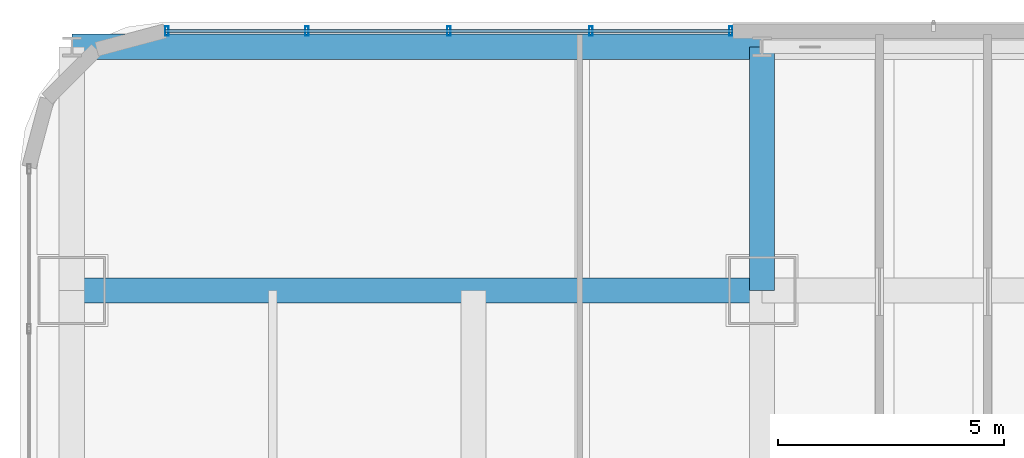
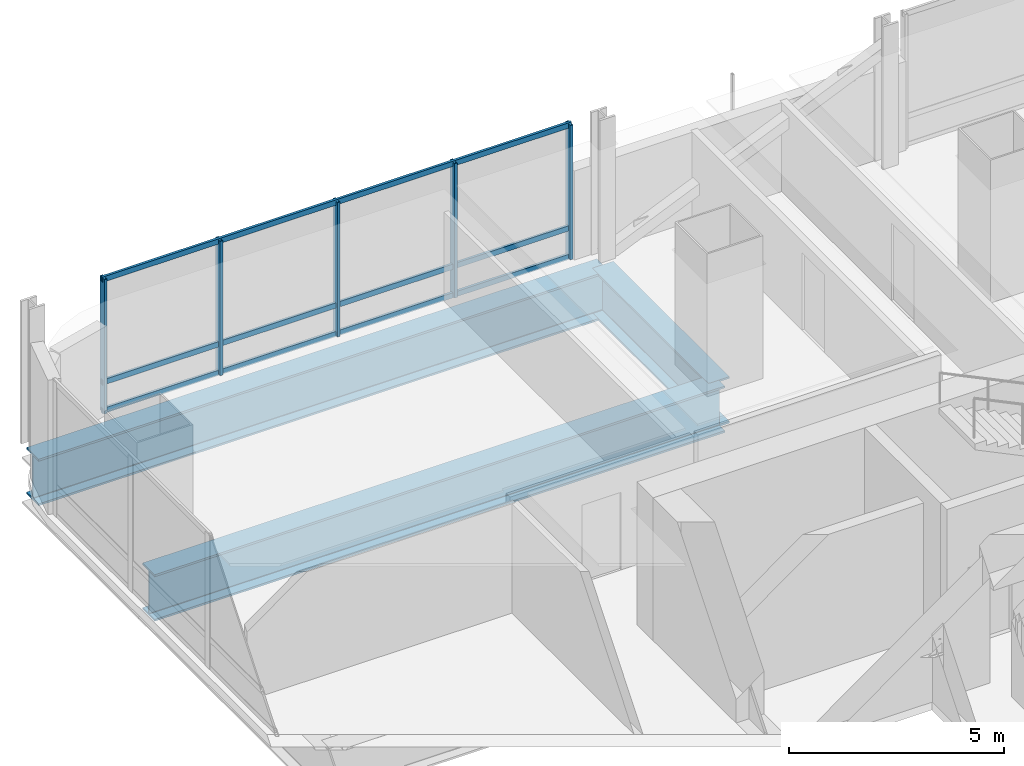
# One storey, part 19 of 37: 8 members, 3 beams, 1 element without a shape of its own.
"""IFC4 building model written with IfcOpenShell, lengths in metres."""

import ifcopenshell
import ifcopenshell.guid

model = None  # the IFC model being written
_history = None  # IfcOwnerHistory: only IFC2X3 demands one
_inside = {}  # id of a spatial element -> (the spatial element, [elements in it])
_under = {}  # id of a project, library or spatial element -> (it, [spatial elements below it])
_declared = {}  # id of a project -> (the project, [libraries it declares])
_typed = {}  # id of a type object -> (the type object, [elements of that type])
_made_of = {}  # id of a material, layer set ... -> (it, [elements and type objects made of it])


def new_model(schema):
    """Start an empty IFC model of exactly this schema.

    Asked for "IFC4X3", IfcOpenShell would pick the latest addendum, in which some entities
    have other attributes; the version numbers below select the first issue.
    IFC2X3 requires an IfcOwnerHistory on every rooted entity: one is made here for all.
    """
    global model, _history
    if schema == "IFC4X3":
        model = ifcopenshell.file(schema_version=(4, 3, 0, 0))
    else:
        model = ifcopenshell.file(schema=schema)
    _inside.clear()
    _under.clear()
    _declared.clear()
    _typed.clear()
    _made_of.clear()
    _history = None
    if model.schema == "IFC2X3":
        org = make("IfcOrganization", Name="unknown")
        user = make(
            "IfcPersonAndOrganization",
            ThePerson=make("IfcPerson", FamilyName="unknown"),
            TheOrganization=org,
        )
        app = make(
            "IfcApplication",
            ApplicationDeveloper=org,
            Version="unknown",
            ApplicationFullName="unknown",
            ApplicationIdentifier="unknown",
        )
        _history = make(
            "IfcOwnerHistory",
            OwningUser=user,
            OwningApplication=app,
            ChangeAction="ADDED",
            CreationDate=0,
        )
    return model


def make(cls, **values):
    """One entity of the class cls with the attributes given. An attribute that is None is left unset."""
    return model.create_entity(
        cls, **{name: value for name, value in values.items() if value is not None}
    )


def rooted(cls, **values):
    """An entity with a GlobalId (a new one), such as an element, a storey or a relation."""
    return make(cls, GlobalId=ifcopenshell.guid.new(), OwnerHistory=_history, **values)


def si_unit(unit_type, name, prefix=None):
    """IfcSIUnit, for example si_unit("LENGTHUNIT", "METRE", prefix="MILLI")."""
    return make("IfcSIUnit", UnitType=unit_type, Prefix=prefix, Name=name)


def assignment(units):
    """IfcUnitAssignment: the units of a project."""
    return None if units is None else make("IfcUnitAssignment", Units=units)


def point(xyz):
    """IfcCartesianPoint."""
    return None if xyz is None else make("IfcCartesianPoint", Coordinates=xyz)


def direction(xyz):
    """IfcDirection."""
    return None if xyz is None else make("IfcDirection", DirectionRatios=xyz)


def frame(location, z_axis=None, x_axis=None):
    """IfcAxis2Placement3D, a coordinate frame: its origin and axes. An axis left out is left unset."""
    return make(
        "IfcAxis2Placement3D",
        Location=point(location),
        Axis=direction(z_axis),
        RefDirection=direction(x_axis),
    )


def frame_2d(location, x_axis=None):
    """IfcAxis2Placement2D, a coordinate frame in the plane: its origin and x axis."""
    return make(
        "IfcAxis2Placement2D", Location=point(location), RefDirection=direction(x_axis)
    )


def origin():
    """The frame at (0, 0, 0) with its axes left unset."""
    return frame((0.0, 0.0, 0.0))


def origin_2d():
    """The frame at (0, 0) in the plane with its x axis left unset."""
    return frame_2d((0.0, 0.0))


def place(relative_to, where):
    """IfcLocalPlacement: puts the frame where relative to a parent placement (None: the world)."""
    return make(
        "IfcLocalPlacement", PlacementRelTo=relative_to, RelativePlacement=where
    )


def context(
    kind, dimensions, precision=None, world=None, true_north=None, identifier=None
):
    """IfcGeometricRepresentationContext, for example the 3D "Model" context."""
    return make(
        "IfcGeometricRepresentationContext",
        ContextIdentifier=identifier,
        ContextType=kind,
        CoordinateSpaceDimension=dimensions,
        Precision=precision,
        WorldCoordinateSystem=world,
        TrueNorth=true_north,
    )


def subcontext(parent, identifier, kind, view, scale=None):
    """IfcGeometricRepresentationSubContext, for example "Body" below "Model"."""
    return make(
        "IfcGeometricRepresentationSubContext",
        ContextIdentifier=identifier,
        ContextType=kind,
        ParentContext=parent,
        TargetScale=scale,
        TargetView=view,
    )


def project(units=None, contexts=None):
    """IfcProject with its units and contexts."""
    return rooted(
        "IfcProject",
        Name="project",
        RepresentationContexts=contexts,
        UnitsInContext=assignment(units),
    )


def spatial(cls, under=None, at=None, **own):
    """A site, building, storey or space (cls), placed at a placement, below another one or the project."""
    s = rooted(cls, ObjectPlacement=at, **own)
    if under is not None:
        _under.setdefault(under.id(), (under, []))[1].append(s)
    return s


def profile(cls, at=None, kind="AREA", **sizes):
    """A parametric profile (cls). Its sizes go by their IFC names, for example OverallWidth=200.0."""
    return make(cls, ProfileType=kind, Position=at, **sizes)


def hollow_rectangle(**sizes):
    """IfcRectangleHollowProfileDef."""
    return profile("IfcRectangleHollowProfileDef", **sizes)


def i_section(**sizes):
    """IfcIShapeProfileDef."""
    return profile("IfcIShapeProfileDef", **sizes)


def extrude(swept, where, along, depth):
    """IfcExtrudedAreaSolid: the profile swept, set in the frame where, extruded along a direction by depth."""
    return make(
        "IfcExtrudedAreaSolid",
        SweptArea=swept,
        Position=where,
        ExtrudedDirection=direction(along),
        Depth=depth,
    )


def shape(context_of_items, identifier, shape_type, items):
    """IfcShapeRepresentation: the items that make up one representation, for example the "Body"."""
    return make(
        "IfcShapeRepresentation",
        ContextOfItems=context_of_items,
        RepresentationIdentifier=identifier,
        RepresentationType=shape_type,
        Items=items,
    )


def material(Name=None, Category=None):
    """IfcMaterial."""
    return make("IfcMaterial", Name=Name, Category=Category)


def material_profile(
    of_material, cross_section, Name=None, Category=None, Priority=None
):
    """IfcMaterialProfile: a cross section and its material."""
    return make(
        "IfcMaterialProfile",
        Name=Name,
        Material=of_material,
        Profile=cross_section,
        Priority=Priority,
        Category=Category,
    )


def profile_set(profiles, Name=None, composite=None):
    """IfcMaterialProfileSet."""
    return make(
        "IfcMaterialProfileSet",
        Name=Name,
        MaterialProfiles=profiles,
        CompositeProfile=composite,
    )


def made_of(thing, what):
    """Note that an element or type object is made of a material, layer set ...; save() writes the relation."""
    if what is not None:
        _made_of.setdefault(what.id(), (what, []))[1].append(thing)
    return thing


def type_object(cls, material=None, **own):
    """A type object (cls), such as IfcWallType, which elements share."""
    return made_of(rooted(cls, **own), material)


def element(
    cls,
    number,
    at=None,
    inside=None,
    cuts=None,
    type_object=None,
    material=None,
    context=None,
    identifier="Body",
    shape_type=None,
    held_by="IfcProductDefinitionShape",
    body=None,
    shapes=None,
    **own,
):
    """One element of the class cls, such as IfcWall. Its Tag is "e" and its number.

    at: its placement. inside: the storey or other place that contains it. cuts: it is an
    opening in that element (IfcRelVoidsElement). A single representation is given by context,
    identifier, shape_type and body (its items); several are given by shapes. held_by: the class
    of the entity that holds the representations. save() writes the other relations.
    """
    e = rooted(cls, Tag="e%d" % number, ObjectPlacement=at, **own)
    if body is not None:
        shapes = [shape(context, identifier, shape_type, body)]
    if shapes is not None:
        e.Representation = make(held_by, Representations=shapes)
    if inside is not None:
        _inside.setdefault(inside.id(), (inside, []))[1].append(e)
    if cuts is not None:
        rooted(
            "IfcRelVoidsElement", RelatingBuildingElement=cuts, RelatedOpeningElement=e
        )
    if type_object is not None:
        _typed.setdefault(type_object.id(), (type_object, []))[1].append(e)
    return made_of(e, material)


def aggregate(whole, parts):
    """IfcRelAggregates: a whole, such as a stair, and the parts it consists of."""
    return rooted("IfcRelAggregates", RelatingObject=whole, RelatedObjects=parts)


def save(model, path):
    """Write the relations noted so far, then the file.

    IfcRelAggregates (storeys below a building ...), IfcRelContainedInSpatialStructure (elements
    in a storey), IfcRelDefinesByType, IfcRelAssociatesMaterial and IfcRelDeclares: one each for
    every whole, place, type object, material and project.
    """
    for whole, parts in _under.values():
        aggregate(whole, parts)
    for where, things in _inside.values():
        rooted(
            "IfcRelContainedInSpatialStructure",
            RelatedElements=things,
            RelatingStructure=where,
        )
    for kind, things in _typed.values():
        rooted("IfcRelDefinesByType", RelatedObjects=things, RelatingType=kind)
    for what, things in _made_of.values():
        rooted("IfcRelAssociatesMaterial", RelatedObjects=things, RelatingMaterial=what)
    for by, libraries in _declared.values():
        rooted("IfcRelDeclares", RelatingContext=by, RelatedDefinitions=libraries)
    model.write(path)


model = new_model("IFC4")

# Units and contexts
model_context = context("Model", 3, precision=1e-05, world=origin(), true_north=direction((0.0, 1.0)))
body_context = subcontext(model_context, "Body", "Model", "MODEL_VIEW")
ifc_project = project(units=[si_unit("LENGTHUNIT", "METRE"), si_unit("AREAUNIT", "SQUARE_METRE"), si_unit("VOLUMEUNIT", "CUBIC_METRE"), si_unit("PLANEANGLEUNIT", "RADIAN"), si_unit("MASSUNIT", "GRAM", prefix="KILO")], contexts=[model_context])

# Site, building, storey
site_placement = place(None, origin())
site = spatial("IfcSite", under=ifc_project, at=site_placement, CompositionType="ELEMENT")
building_placement = place(site_placement, origin())
building = spatial("IfcBuilding", under=site, at=building_placement, Name="Punatoya Terracotta Tower", CompositionType="ELEMENT")
storey_placement = place(building_placement, frame((0.0, 0.0, 109.199951171875)))
storey = spatial("IfcBuildingStorey", under=building, at=storey_placement, Name="L25", CompositionType="ELEMENT", Elevation=109.199951171875)

# Beams
ifc_material_1 = material(Name="Steel S460", Category="steel")
ifc_material_profile_1 = material_profile(ifc_material_1, i_section(OverallWidth=0.56005859375, OverallDepth=1.320068359375, WebThickness=0.035888671875, FlangeThickness=0.054931640625, FilletRadius=0.01806640625, at=origin_2d()))
ifc_profile_set_1 = profile_set([ifc_material_profile_1], Name="Steel S460")
beam_type = type_object("IfcBeamType", Name="BM-TG-BLK", PredefinedType="BEAM", material=ifc_profile_set_1)
beam_1_placement = place(storey_placement, frame((-19.10009765625, 17.5, -0.89990234375), z_axis=(1.0, 0.0, 0.0), x_axis=(0.0, 1.0, 0.0)))
element("IfcBeam", 1, at=beam_1_placement, inside=storey, type_object=beam_type, Name="BM-L25-RG-N1", PredefinedType="BEAM", context=body_context, shape_type="SweptSolid", body=[
    extrude(i_section(OverallWidth=0.56005859375, OverallDepth=1.320068359375, WebThickness=0.035888671875, FlangeThickness=0.054931640625, FilletRadius=0.01806640625, at=origin_2d()), origin(), (0.0, 0.0, 1.0), 15.300048828125),
])
beam_2_placement = place(storey_placement, frame((-3.800048828125, 17.5, -0.89990234375), z_axis=(0.0, 1.0, 0.0), x_axis=(-1.0, 0.0, 0.0)))
element("IfcBeam", 2, at=beam_2_placement, inside=storey, type_object=beam_type, Name="BM-L25-CANT-N2", PredefinedType="BEAM", context=body_context, shape_type="SweptSolid", body=[
    extrude(i_section(OverallWidth=0.56005859375, OverallDepth=1.320068359375, WebThickness=0.035888671875, FlangeThickness=0.054931640625, FilletRadius=0.01806640625, at=origin_2d()), origin(), (0.0, 0.0, 1.0), 5.39990234375),
])
beam_3_placement = place(storey_placement, frame((-19.10009765625, 22.89990234375, -0.89990234375), z_axis=(1.0, 0.0, 0.0), x_axis=(0.0, 1.0, 0.0)))
element("IfcBeam", 3, at=beam_3_placement, inside=storey, type_object=beam_type, Name="BM-L25-PER-N1", PredefinedType="BEAM", context=body_context, shape_type="SweptSolid", body=[
    extrude(i_section(OverallWidth=0.56005859375, OverallDepth=1.320068359375, WebThickness=0.035888671875, FlangeThickness=0.054931640625, FilletRadius=0.01806640625, at=origin_2d()), origin(), (0.0, 0.0, 1.0), 15.300048828125),
])

# Curtain wall, members
ifc_material_2 = material(Name="Aluminium 6063-T6 + Double Low-E Glass", Category="aluminium")
curtain_wall_type = type_object("IfcCurtainWallType", Name="CW-M1", PredefinedType="NOTDEFINED", material=ifc_material_2)
curtain_wall_placement = place(storey_placement, origin())
curtain_wall = element("IfcCurtainWall", 4, at=curtain_wall_placement, inside=storey, type_object=curtain_wall_type, Name="L25 Curtain Wall CW-L25-N08-2", PredefinedType="NOTDEFINED")
ifc_material_3 = material(Name="Aluminium 6063-T6", Category="aluminium")
ifc_material_profile_2 = material_profile(ifc_material_3, hollow_rectangle(XDim=0.074951171875, YDim=0.2099609375, WallThickness=0.00439453125, at=origin_2d()))
ifc_profile_set_2 = profile_set([ifc_material_profile_2], Name="Aluminium 6063-T6")
member_type_1 = type_object("IfcMemberType", Name="CW-MUL-M1", PredefinedType="MULLION", material=ifc_profile_set_2)
member_1_placement = place(storey_placement, frame((-4.4951171875, 23.25, 0.0), z_axis=(0.0, 0.0, 1.0), x_axis=(1.0, 0.0, 0.0)))
member_1 = element("IfcMember", 5, at=member_1_placement, type_object=member_type_1, Name="CW-L25-N08-2 Mullion 00", PredefinedType="MULLION", context=body_context, shape_type="SweptSolid", body=[
    extrude(hollow_rectangle(XDim=0.074951171875, YDim=0.2099609375, WallThickness=0.00439453125, at=origin_2d()), origin(), (0.0, 0.0, 1.0), 3.81005859375),
])
member_2_placement = place(storey_placement, frame((-7.5966796875, 23.25, 0.0), z_axis=(0.0, 0.0, 1.0), x_axis=(1.0, 0.0, 0.0)))
member_2 = element("IfcMember", 6, at=member_2_placement, type_object=member_type_1, Name="CW-L25-N08-2 Mullion 01", PredefinedType="MULLION", context=body_context, shape_type="SweptSolid", body=[
    extrude(hollow_rectangle(XDim=0.074951171875, YDim=0.2099609375, WallThickness=0.00439453125, at=origin_2d()), origin(), (0.0, 0.0, 1.0), 3.81005859375),
])
member_3_placement = place(storey_placement, frame((-10.743408203125, 23.25, 0.0), z_axis=(0.0, 0.0, 1.0), x_axis=(1.0, 0.0, 0.0)))
member_3 = element("IfcMember", 7, at=member_3_placement, type_object=member_type_1, Name="CW-L25-N08-2 Mullion 02", PredefinedType="MULLION", context=body_context, shape_type="SweptSolid", body=[
    extrude(hollow_rectangle(XDim=0.074951171875, YDim=0.2099609375, WallThickness=0.00439453125, at=origin_2d()), origin(), (0.0, 0.0, 1.0), 3.81005859375),
])
member_4_placement = place(storey_placement, frame((-13.89013671875, 23.25, 0.0), z_axis=(0.0, 0.0, 1.0), x_axis=(1.0, 0.0, 0.0)))
member_4 = element("IfcMember", 8, at=member_4_placement, type_object=member_type_1, Name="CW-L25-N08-2 Mullion 03", PredefinedType="MULLION", context=body_context, shape_type="SweptSolid", body=[
    extrude(hollow_rectangle(XDim=0.074951171875, YDim=0.2099609375, WallThickness=0.00439453125, at=origin_2d()), origin(), (0.0, 0.0, 1.0), 3.81005859375),
])
member_5_placement = place(storey_placement, frame((-16.991943359375, 23.25, 0.0), z_axis=(0.0, 0.0, 1.0), x_axis=(1.0, 0.0, 0.0)))
member_5 = element("IfcMember", 9, at=member_5_placement, type_object=member_type_1, Name="CW-L25-N08-2 Mullion 04", PredefinedType="MULLION", context=body_context, shape_type="SweptSolid", body=[
    extrude(hollow_rectangle(XDim=0.074951171875, YDim=0.2099609375, WallThickness=0.00439453125, at=origin_2d()), origin(), (0.0, 0.0, 1.0), 3.81005859375),
])
ifc_material_profile_3 = material_profile(ifc_material_3, hollow_rectangle(XDim=0.068115234375, YDim=0.14990234375, WallThickness=0.00390625, at=origin_2d()))
ifc_profile_set_3 = profile_set([ifc_material_profile_3], Name="Aluminium 6063-T6")
member_type_2 = type_object("IfcMemberType", Name="CW-TRN-TYP", PredefinedType="USERDEFINED", material=ifc_profile_set_3)
member_6_placement = place(storey_placement, frame((-4.449951171875, 23.25, 0.0400390625), z_axis=(-1.0, 0.0, 0.0), x_axis=(0.0, -1.0, 0.0)))
member_6 = element("IfcMember", 10, at=member_6_placement, type_object=member_type_2, Name="CW-L25-N08-2 Transom 1", ObjectType="TRANSOM", PredefinedType="USERDEFINED", context=body_context, shape_type="SweptSolid", body=[
    extrude(hollow_rectangle(XDim=0.068115234375, YDim=0.14990234375, WallThickness=0.00390625, at=origin_2d()), origin(), (0.0, 0.0, 1.0), 12.5869140625),
])
member_7_placement = place(storey_placement, frame((-4.449951171875, 23.25, 0.85009765625), z_axis=(-1.0, 0.0, 0.0), x_axis=(0.0, -1.0, 0.0)))
member_7 = element("IfcMember", 11, at=member_7_placement, type_object=member_type_2, Name="CW-L25-N08-2 Transom 2", ObjectType="TRANSOM", PredefinedType="USERDEFINED", context=body_context, shape_type="SweptSolid", body=[
    extrude(hollow_rectangle(XDim=0.068115234375, YDim=0.14990234375, WallThickness=0.00390625, at=origin_2d()), origin(), (0.0, 0.0, 1.0), 12.5869140625),
])
member_8_placement = place(storey_placement, frame((-4.449951171875, 23.25, 3.77001953125), z_axis=(-1.0, 0.0, 0.0), x_axis=(0.0, -1.0, 0.0)))
member_8 = element("IfcMember", 12, at=member_8_placement, type_object=member_type_2, Name="CW-L25-N08-2 Transom 3", ObjectType="TRANSOM", PredefinedType="USERDEFINED", context=body_context, shape_type="SweptSolid", body=[
    extrude(hollow_rectangle(XDim=0.068115234375, YDim=0.14990234375, WallThickness=0.00390625, at=origin_2d()), origin(), (0.0, 0.0, 1.0), 12.5869140625),
])
aggregate(curtain_wall, [member_1, member_2, member_3, member_4, member_5, member_6, member_7, member_8])

save(model, "model.ifc")
